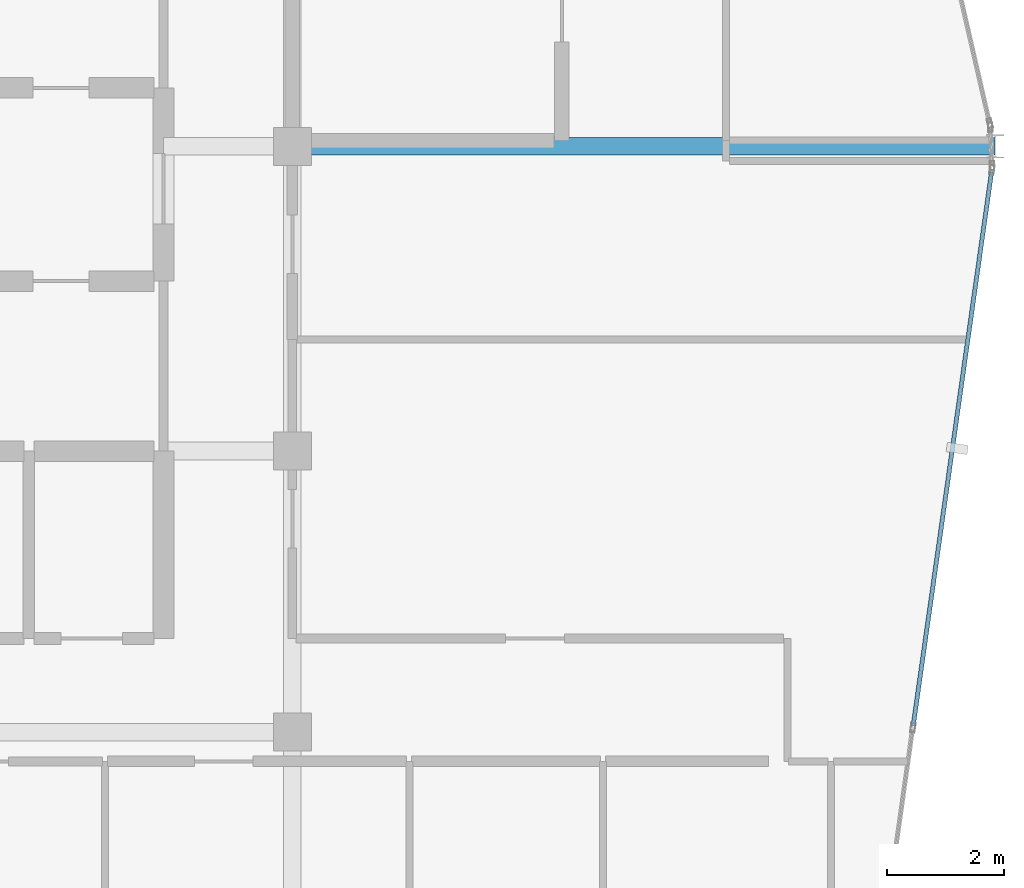
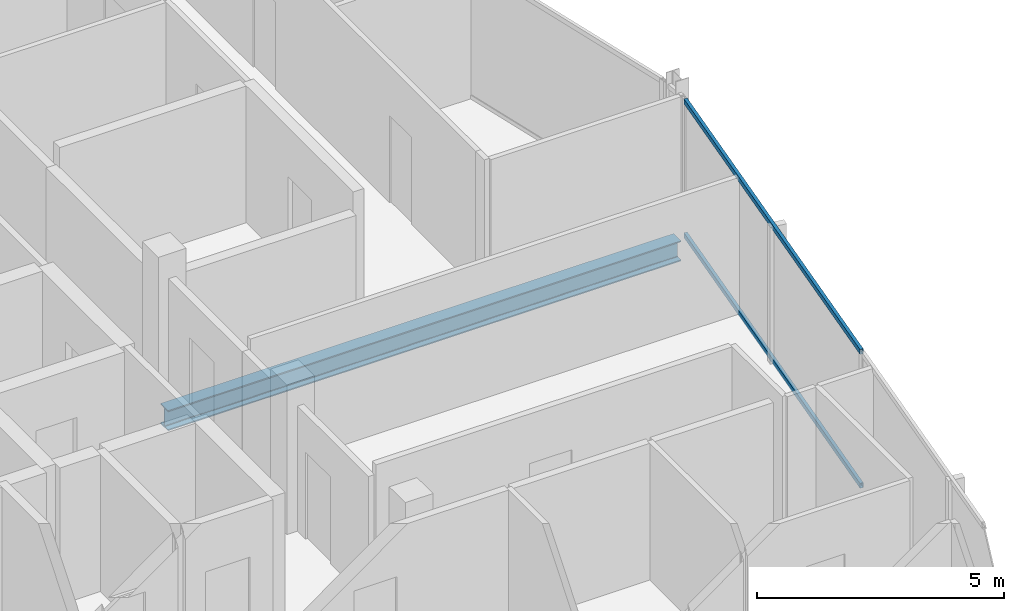
# One storey, part 13 of 27: 2 members, 1 beam, 1 element without a shape of its own.
"""IFC4 building model written with IfcOpenShell, lengths in metres."""

from ifc_helpers import new_model, si_unit, direction, frame, origin, origin_2d, place, context, subcontext, project, spatial, hollow_rectangle, i_section, extrude, material, layer, layer_set, material_profile, profile_set, type_object, element, aggregate, save


model = new_model("IFC4")

# Units and contexts
model_context = context("Model", 3, precision=1e-05, world=origin(), true_north=direction((0.0, 1.0)))
body_context = subcontext(model_context, "Body", "Model", "MODEL_VIEW")
ifc_project = project(units=[si_unit("LENGTHUNIT", "METRE"), si_unit("AREAUNIT", "SQUARE_METRE"), si_unit("VOLUMEUNIT", "CUBIC_METRE"), si_unit("PLANEANGLEUNIT", "RADIAN"), si_unit("MASSUNIT", "GRAM", prefix="KILO")], contexts=[model_context])

# Site, building, storey
site_placement = place(None, origin())
site = spatial("IfcSite", under=ifc_project, at=site_placement, CompositionType="ELEMENT")
building_placement = place(site_placement, origin())
building = spatial("IfcBuilding", under=site, at=building_placement, Name="Keshet Zoharim Tower", CompositionType="ELEMENT")
storey_placement = place(building_placement, frame((0.0, 0.0, 295.39990234375)))
storey = spatial("IfcBuildingStorey", under=building, at=storey_placement, Name="L74", CompositionType="ELEMENT", Elevation=295.39990234375)

# Beam
ifc_material_1 = material(Name="Steel S355", Category="steel")
ifc_material_profile_1 = material_profile(ifc_material_1, i_section(OverallWidth=0.300048828125, OverallDepth=0.5, WebThickness=0.014404296875, FlangeThickness=0.028076171875, FilletRadius=0.027099609375, at=origin_2d()), Name="HEB500")
ifc_profile_set_1 = profile_set([ifc_material_profile_1], Name="Steel S355")
beam_type = type_object("IfcBeamType", Name="BM-MED-HB500", PredefinedType="BEAM", material=ifc_profile_set_1)
beam_placement = place(storey_placement, frame((33.0, 27.89990234375, -0.559814453125), z_axis=(1.0, 0.0, 0.0), x_axis=(0.0, 1.0, 0.0)))
element("IfcBeam", 1, at=beam_placement, inside=storey, type_object=beam_type, Name="L74 Primary Girder X-007", PredefinedType="BEAM", context=body_context, shape_type="SweptSolid", body=[
    extrude(i_section(OverallWidth=0.300048828125, OverallDepth=0.5, WebThickness=0.014404296875, FlangeThickness=0.028076171875, FilletRadius=0.027099609375, at=origin_2d()), origin(), (0.0, 0.0, 1.0), 12.0),
])

# Curtain wall, members
ifc_material_2 = material(Name="Aluminium 6063-T6", Category="aluminium")
ifc_layer = layer(ifc_material_2, 0.260009765625)
ifc_layer_set = layer_set([ifc_layer], Name="Aluminium 6063-T6")
curtain_wall_type = type_object("IfcCurtainWallType", Name="CW-SYS-06", PredefinedType="NOTDEFINED", material=ifc_layer_set)
curtain_wall_placement = place(storey_placement, origin())
curtain_wall = element("IfcCurtainWall", 2, at=curtain_wall_placement, inside=storey, type_object=curtain_wall_type, Name="L74 Unitised Curtain Wall 11", PredefinedType="NOTDEFINED")
ifc_material_profile_2 = material_profile(ifc_material_2, hollow_rectangle(XDim=0.074951171875, YDim=0.1201171875, WallThickness=0.00390625, at=origin_2d()), Name="TRN-75x120")
ifc_profile_set_2 = profile_set([ifc_material_profile_2], Name="Aluminium 6063-T6")
member_type = type_object("IfcMemberType", Name="CWT-T12", PredefinedType="USERDEFINED", material=ifc_profile_set_2)
member_1_placement = place(storey_placement, frame((44.938232421875, 27.462646484375, 0.03515625), z_axis=(-0.140150169695, -0.990130259074, 0.0), x_axis=(0.990130259074, -0.140150169695, 0.0)))
member_1 = element("IfcMember", 3, at=member_1_placement, type_object=member_type, Name="CW-06 transom 1.1", ObjectType="TRANSOM", PredefinedType="USERDEFINED", context=body_context, shape_type="SweptSolid", body=[
    extrude(hollow_rectangle(XDim=0.074951171875, YDim=0.1201171875, WallThickness=0.00390625, at=origin_2d()), origin(), (0.0, 0.0, 1.0), 9.546142578125),
])
member_2_placement = place(storey_placement, frame((44.938232421875, 27.462646484375, 3.34521484375), z_axis=(-0.140150169695, -0.990130259074, 0.0), x_axis=(0.990130259074, -0.140150169695, 0.0)))
member_2 = element("IfcMember", 4, at=member_2_placement, type_object=member_type, Name="CW-06 transom 1.2", ObjectType="TRANSOM", PredefinedType="USERDEFINED", context=body_context, shape_type="SweptSolid", body=[
    extrude(hollow_rectangle(XDim=0.074951171875, YDim=0.1201171875, WallThickness=0.00390625, at=origin_2d()), origin(), (0.0, 0.0, 1.0), 9.546142578125),
])
aggregate(curtain_wall, [member_1, member_2])

save(model, "model.ifc")
